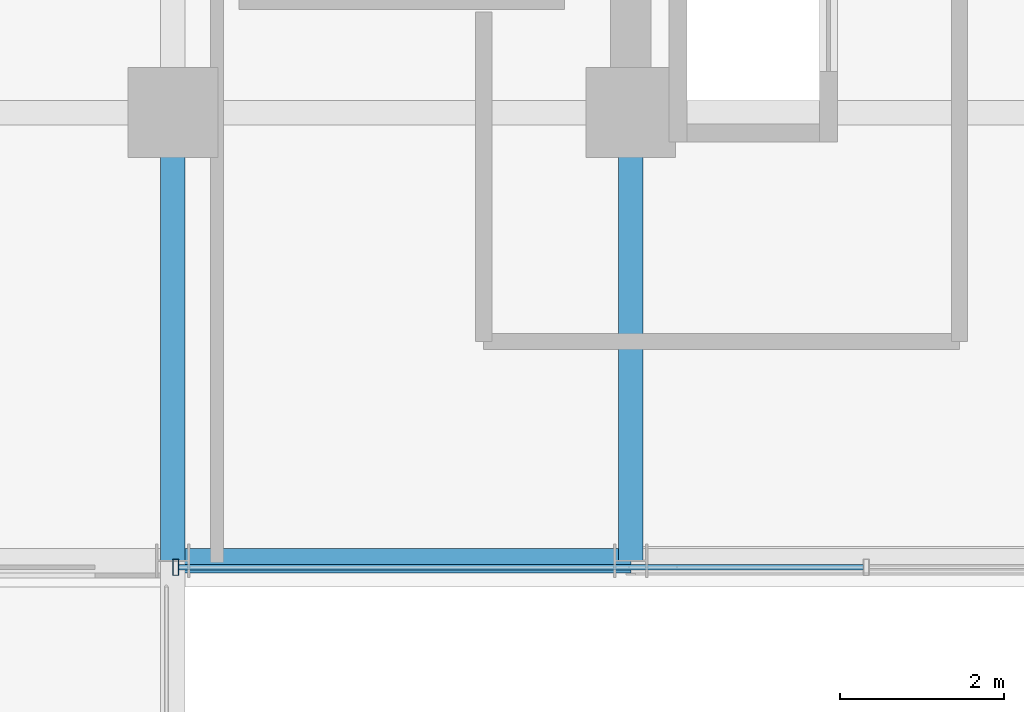
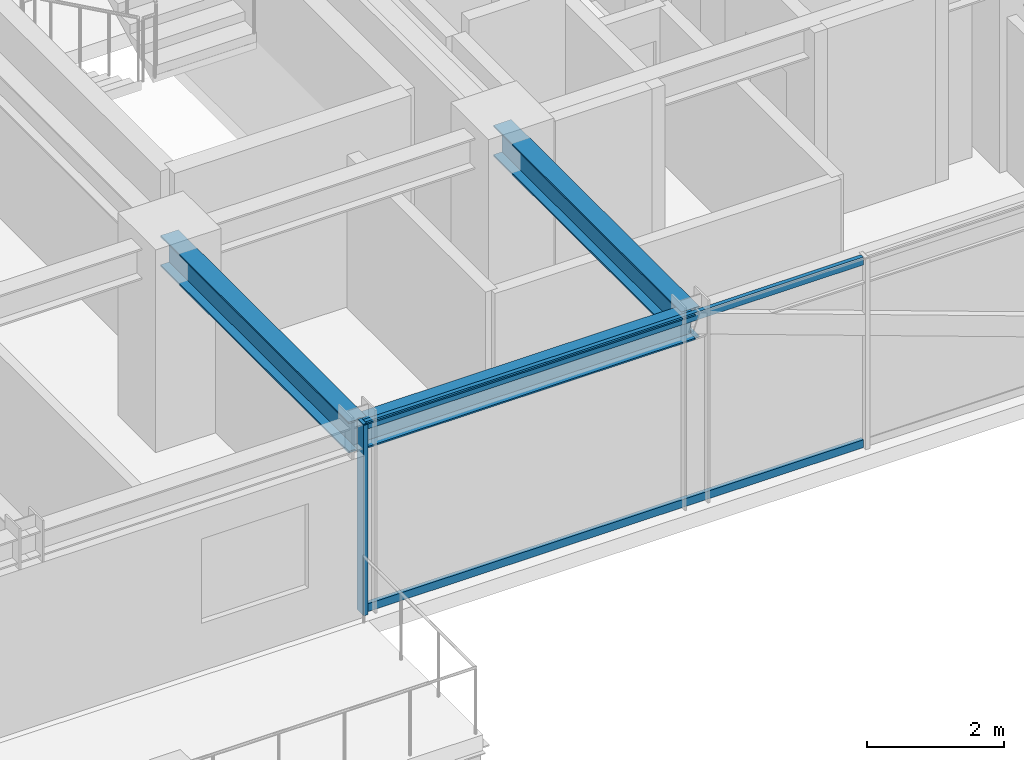
# One storey, part 5 of 38: 3 beams, 3 members, 1 element without a shape of its own.
"""IFC4 building model written with IfcOpenShell, lengths in metres."""

from ifc_helpers import new_model, si_unit, direction, frame, origin, origin_2d, place, context, subcontext, project, spatial, hollow_rectangle, i_section, extrude, source, transform, mapped, material, material_profile, profile_set, type_object, element, aggregate, save


model = new_model("IFC4")

# Units and contexts
model_context = context("Model", 3, precision=1e-05, world=origin(), true_north=direction((0.0, 1.0)))
body_context = subcontext(model_context, "Body", "Model", "MODEL_VIEW")
ifc_project = project(units=[si_unit("LENGTHUNIT", "METRE"), si_unit("AREAUNIT", "SQUARE_METRE"), si_unit("VOLUMEUNIT", "CUBIC_METRE"), si_unit("PLANEANGLEUNIT", "RADIAN"), si_unit("MASSUNIT", "GRAM", prefix="KILO")], contexts=[model_context])

# Site, building, storey
site_placement = place(None, origin())
site = spatial("IfcSite", under=ifc_project, at=site_placement, CompositionType="ELEMENT")
building_placement = place(site_placement, origin())
building = spatial("IfcBuilding", under=site, at=building_placement, Name="Nahalor Promenade Grand Hotel", CompositionType="ELEMENT")
storey_placement = place(building_placement, frame((0.0, 0.0, 163.60009765625)))
storey = spatial("IfcBuildingStorey", under=building, at=storey_placement, Name="L41", CompositionType="ELEMENT", Elevation=163.60009765625)

# Beams
ifc_material_1 = material(Name="Steel S355JR", Category="steel")
ifc_material_profile_1 = material_profile(ifc_material_1, i_section(OverallWidth=0.3, OverallDepth=0.55, WebThickness=0.015, FlangeThickness=0.029, at=origin_2d()), Name="HEB 550")
ifc_profile_set_1 = profile_set([ifc_material_profile_1], Name="Steel S355JR")
beam_type_1 = type_object("IfcBeamType", Name="Beam-Girder-HEB550", PredefinedType="BEAM", material=ifc_profile_set_1)
shared_shape_1 = source(origin(), body_context, "Body", "SweptSolid", [
    extrude(i_section(OverallWidth=0.3, OverallDepth=0.55, WebThickness=0.015, FlangeThickness=0.029, at=origin_2d()), origin(), (0.0, 0.0, 1.0), 5.47998046875),
])
for number, where, z_axis, x_axis, name in (
    (1, (2.800048828125, -22.47998046875, 3.114990234375), (0.0, 1.0, 0.0), (-1.0, 0.0, 0.0), "BM-L41-GY-3-0"),
    (2, (8.39990234375, -22.47998046875, 3.114990234375), (0.0, 1.0, 0.0), (-1.0, 0.0, 0.0), "BM-L41-GY-4-0"),
):
    element("IfcBeam", number, at=place(storey_placement, frame(where, z_axis=z_axis, x_axis=x_axis)), inside=storey, type_object=beam_type_1, Name=name, PredefinedType="BEAM", context=body_context, shape_type="MappedRepresentation", body=[
        mapped(shared_shape_1, transform((0.0, 0.0, 0.0), scale=1.0)),
    ])
ifc_material_profile_2 = material_profile(ifc_material_1, i_section(OverallWidth=0.3, OverallDepth=0.45, WebThickness=0.014, FlangeThickness=0.026, at=origin_2d()), Name="HEB 450")
ifc_profile_set_2 = profile_set([ifc_material_profile_2], Name="Steel S355JR")
beam_type_2 = type_object("IfcBeamType", Name="Beam-Spandrel-HEB450", PredefinedType="SPANDREL", material=ifc_profile_set_2)
shared_shape_2 = source(origin(), body_context, "Body", "SweptSolid", [
    extrude(i_section(OverallWidth=0.3, OverallDepth=0.45, WebThickness=0.014, FlangeThickness=0.026, at=origin_2d()), origin(), (0.0, 0.0, 1.0), 5.599853515625),
])
beam_placement = place(storey_placement, frame((2.800048828125, -22.47998046875, 3.164794921875), z_axis=(1.0, 0.0, 0.0), x_axis=(0.0, 1.0, 0.0)))
element("IfcBeam", 3, at=beam_placement, inside=storey, type_object=beam_type_2, Name="BM-L41-SP-S-3", PredefinedType="SPANDREL", context=body_context, shape_type="MappedRepresentation", body=[
    mapped(shared_shape_2, transform((0.0, 0.0, 0.0), scale=1.0)),
])

# Curtain wall, members
ifc_material_2 = material(Name="Anodised Bronze Aluminium EN AW-6063 T6", Category="aluminium")
curtain_wall_type = type_object("IfcCurtainWallType", Name="CW3 Elliptical-Void Collar Unitised Curtain Wall", PredefinedType="USERDEFINED", material=ifc_material_2)
curtain_wall_placement = place(storey_placement, origin())
curtain_wall = element("IfcCurtainWall", 4, at=curtain_wall_placement, inside=storey, type_object=curtain_wall_type, Name="L41 Curtain Wall CW-L41-S-3", ObjectType="UNITISED_CURTAIN_WALL", PredefinedType="USERDEFINED")
ifc_material_profile_3 = material_profile(ifc_material_2, hollow_rectangle(XDim=0.07, YDim=0.14, WallThickness=0.004, at=origin_2d()), Name="CWT 70x140x4")
ifc_profile_set_3 = profile_set([ifc_material_profile_3], Name="Anodised Bronze Aluminium EN AW-6063 T6")
member_type_1 = type_object("IfcMemberType", Name="CWT3 Void Collar Transom 70x140", PredefinedType="USERDEFINED", material=ifc_profile_set_3)
shared_shape_3 = source(origin(), body_context, "Body", "SweptSolid", [
    extrude(hollow_rectangle(XDim=0.07, YDim=0.14, WallThickness=0.004, at=origin_2d()), origin(), (0.0, 0.0, 1.0), 8.375),
])
member_1_placement = place(storey_placement, frame((2.8701171875, -22.56005859375, 0.06982421875), z_axis=(1.0, 0.0, 0.0), x_axis=(0.0, 1.0, 0.0)))
member_1 = element("IfcMember", 5, at=member_1_placement, type_object=member_type_1, Name="CW-L41-S-3 Transom 0-0", ObjectType="TRANSOM", PredefinedType="USERDEFINED", context=body_context, shape_type="MappedRepresentation", body=[
    mapped(shared_shape_3, transform((0.0, 0.0, 0.0), scale=1.0)),
])
member_2_placement = place(storey_placement, frame((2.8701171875, -22.56005859375, 3.31982421875), z_axis=(1.0, 0.0, 0.0), x_axis=(0.0, 1.0, 0.0)))
member_2 = element("IfcMember", 6, at=member_2_placement, type_object=member_type_1, Name="CW-L41-S-3 Transom 0-1", ObjectType="TRANSOM", PredefinedType="USERDEFINED", context=body_context, shape_type="MappedRepresentation", body=[
    mapped(shared_shape_3, transform((0.0, 0.0, 0.0), scale=1.0)),
])
ifc_material_profile_4 = material_profile(ifc_material_2, hollow_rectangle(XDim=0.07, YDim=0.2, WallThickness=0.005, at=origin_2d()), Name="CWM 70x200x5")
ifc_profile_set_4 = profile_set([ifc_material_profile_4], Name="Anodised Bronze Aluminium EN AW-6063 T6")
member_type_2 = type_object("IfcMemberType", Name="CWM3 Void Collar Mullion 70x200", PredefinedType="MULLION", material=ifc_profile_set_4)
shared_shape_4 = source(origin(), body_context, "Body", "SweptSolid", [
    extrude(hollow_rectangle(XDim=0.07, YDim=0.2, WallThickness=0.005, at=origin_2d()), origin(), (0.0, 0.0, 1.0), 3.389892578125),
])
member_3_placement = place(storey_placement, frame((2.8349609375, -22.56005859375, 0.0), z_axis=(0.0, 0.0, 1.0), x_axis=(1.0, 0.0, 0.0)))
member_3 = element("IfcMember", 7, at=member_3_placement, type_object=member_type_2, Name="CW-L41-S-3 Mullion 0", PredefinedType="MULLION", context=body_context, shape_type="MappedRepresentation", body=[
    mapped(shared_shape_4, transform((0.0, 0.0, 0.0), scale=1.0)),
])
aggregate(curtain_wall, [member_3, member_1, member_2])

save(model, "model.ifc")
